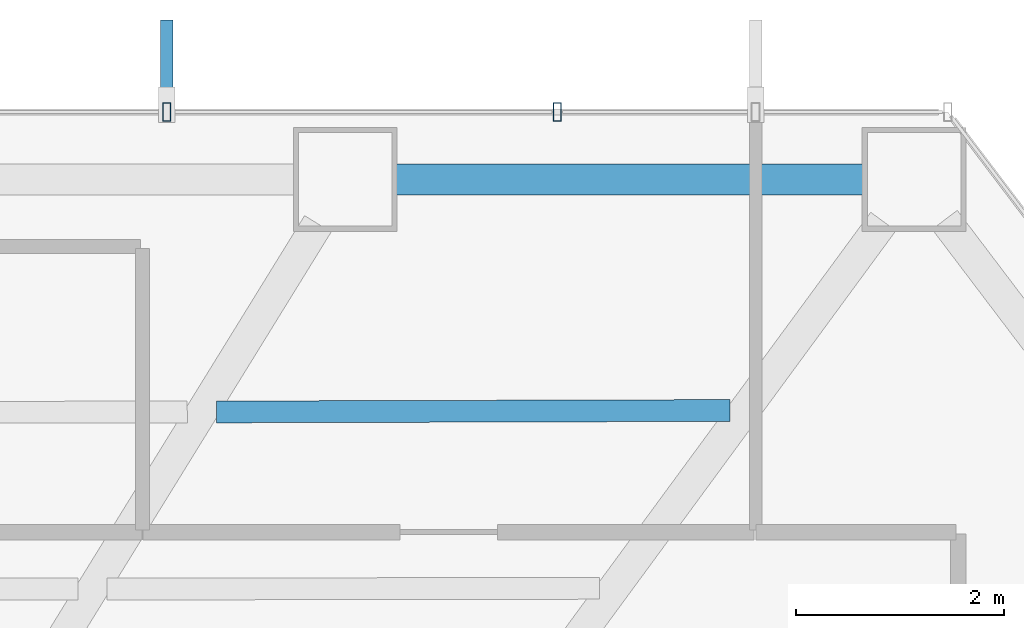
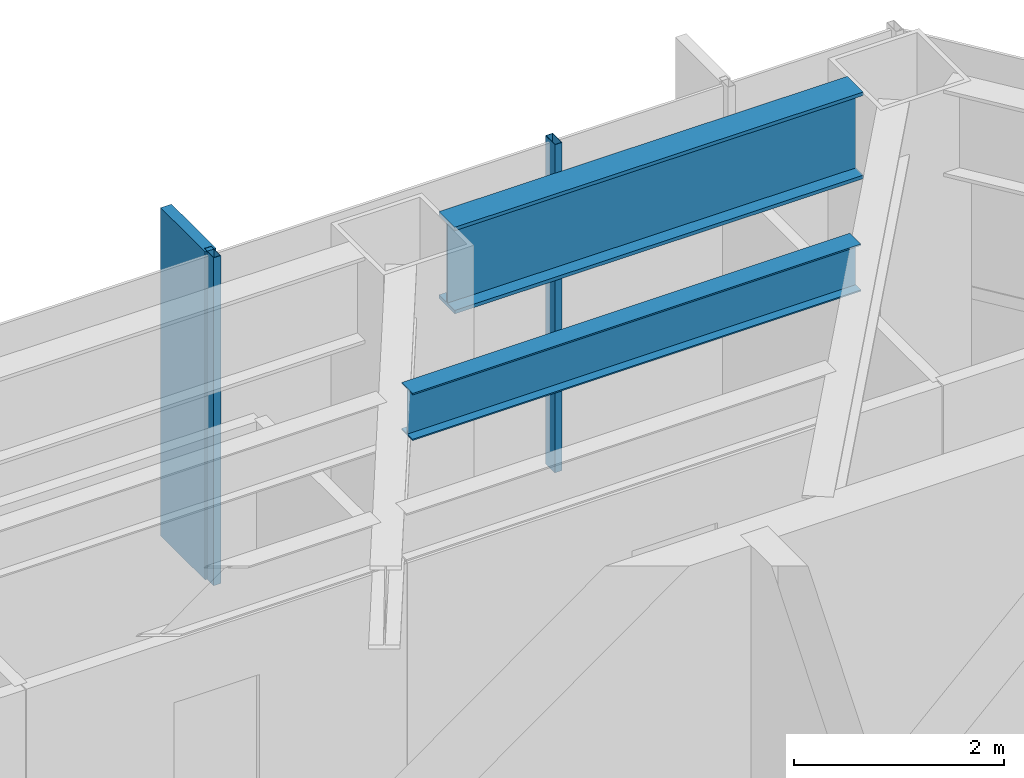
# One storey, part 15 of 25: 3 members, 2 beams, 1 element without a shape of its own.
"""IFC4 building model written with IfcOpenShell, lengths in metres."""

from ifc_helpers import new_model, si_unit, direction, frame, origin, origin_2d, place, context, subcontext, project, spatial, rectangle, hollow_rectangle, i_section, extrude, material, layer, layer_set, material_profile, profile_set, type_object, element, aggregate, save


model = new_model("IFC4")

# Units and contexts
model_context = context("Model", 3, precision=1e-05, world=origin(), true_north=direction((0.0, 1.0)))
body_context = subcontext(model_context, "Body", "Model", "MODEL_VIEW")
ifc_project = project(units=[si_unit("LENGTHUNIT", "METRE"), si_unit("AREAUNIT", "SQUARE_METRE"), si_unit("VOLUMEUNIT", "CUBIC_METRE"), si_unit("PLANEANGLEUNIT", "RADIAN"), si_unit("MASSUNIT", "GRAM", prefix="KILO")], contexts=[model_context])

# Site, building, storey
site_placement = place(None, origin())
site = spatial("IfcSite", under=ifc_project, at=site_placement, CompositionType="ELEMENT")
building_placement = place(site_placement, origin())
building = spatial("IfcBuilding", under=site, at=building_placement, Name="Zarrinselat Tower", CompositionType="ELEMENT")
storey_placement = place(building_placement, frame((0.0, 0.0, 43.860107421875)))
storey = spatial("IfcBuildingStorey", under=building, at=storey_placement, Name="L10", CompositionType="ELEMENT", Elevation=43.860107421875)

# Beams
ifc_material_1 = material(Name="Steel S460M", Category="steel")
ifc_material_profile_1 = material_profile(ifc_material_1, i_section(OverallWidth=0.302001953125, OverallDepth=1.008056640625, WebThickness=0.02099609375, FlangeThickness=0.0400390625, at=origin_2d()), Name="HEM 1000")
ifc_profile_set_1 = profile_set([ifc_material_profile_1], Name="Steel S460M")
beam_type_1 = type_object("IfcBeamType", Name="BM-HEM1000", PredefinedType="BEAM", material=ifc_profile_set_1)
beam_1_placement = place(storey_placement, frame((45.038330078125, 49.394287109375, 3.31591796875), z_axis=(1.0, 0.0, 0.0), x_axis=(0.0, 1.0, 0.0)))
element("IfcBeam", 1, at=beam_1_placement, inside=storey, type_object=beam_type_1, Name="L10 Perimeter Spandrel Girder SP01", PredefinedType="BEAM", context=body_context, shape_type="SweptSolid", body=[
    extrude(i_section(OverallWidth=0.302001953125, OverallDepth=1.008056640625, WebThickness=0.02099609375, FlangeThickness=0.0400390625, at=origin_2d()), origin(), (0.0, 0.0, 1.0), 4.5),
])
ifc_material_2 = material(Name="Steel S355J2", Category="steel")
ifc_material_profile_2 = material_profile(ifc_material_2, i_section(OverallWidth=0.2099609375, OverallDepth=0.550048828125, WebThickness=0.010986328125, FlangeThickness=0.01708984375, at=origin_2d()), Name="IPE 550")
ifc_profile_set_2 = profile_set([ifc_material_profile_2], Name="Steel S355J2")
beam_type_2 = type_object("IfcBeamType", Name="BM-IPE550", PredefinedType="JOIST", material=ifc_profile_set_2)
beam_2_placement = place(storey_placement, frame((43.30908203125, 47.156494140625, 3.544921875), z_axis=(0.999996039215, 0.002814525688, 0.0), x_axis=(-0.002814525688, 0.999996039215, 0.0)))
element("IfcBeam", 2, at=beam_2_placement, inside=storey, type_object=beam_type_2, Name="L10 Composite Floor Joist 7-1", PredefinedType="JOIST", context=body_context, shape_type="SweptSolid", body=[
    extrude(i_section(OverallWidth=0.2099609375, OverallDepth=0.550048828125, WebThickness=0.010986328125, FlangeThickness=0.01708984375, at=origin_2d()), origin(), (0.0, 0.0, 1.0), 4.9443359375),
])

# Curtain wall, members
ifc_material_3 = material(Name="Extruded Aluminium Alloy EN AW-6063 T6", Category="aluminium")
ifc_layer = layer(ifc_material_3, 0.18505859375)
ifc_layer_set = layer_set([ifc_layer], Name="Extruded Aluminium Alloy EN AW-6063 T6")
curtain_wall_type = type_object("IfcCurtainWallType", Name="CWS-OFF", PredefinedType="NOTDEFINED", material=ifc_layer_set)
curtain_wall_placement = place(storey_placement, origin())
curtain_wall = element("IfcCurtainWall", 3, at=curtain_wall_placement, inside=storey, type_object=curtain_wall_type, Name="L10 Unitised Curtain Wall CW-L10-E01", PredefinedType="NOTDEFINED")
ifc_material_4 = material(Name="Extruded Aluminium Alloy EN AW-6063 T6", Category="aluminium")
ifc_material_profile_3 = material_profile(ifc_material_4, hollow_rectangle(XDim=0.080078125, YDim=0.179931640625, WallThickness=0.0048828125, at=origin_2d()), Name="RHS 180x80x5")
ifc_profile_set_3 = profile_set([ifc_material_profile_3], Name="Extruded Aluminium Alloy EN AW-6063 T6")
member_type_1 = type_object("IfcMemberType", Name="MEM-CW-MUL", PredefinedType="MULLION", material=ifc_profile_set_3)
member_1_placement = place(storey_placement, frame((46.591064453125, 50.04443359375, 0.0), z_axis=(0.0, 0.0, 1.0), x_axis=(-1.0, 0.0, 0.0)))
member_1 = element("IfcMember", 4, at=member_1_placement, type_object=member_type_1, Name="CW-L10-E01 Mullion 2", PredefinedType="MULLION", context=body_context, shape_type="SweptSolid", body=[
    extrude(hollow_rectangle(XDim=0.080078125, YDim=0.179931640625, WallThickness=0.0048828125, at=origin_2d()), origin(), (0.0, 0.0, 1.0), 3.81982421875),
])
member_2_placement = place(storey_placement, frame((42.83251953125, 50.04443359375, 0.0), z_axis=(0.0, 0.0, 1.0), x_axis=(-1.0, 0.0, 0.0)))
member_2 = element("IfcMember", 5, at=member_2_placement, type_object=member_type_1, Name="CW-L10-E01 Mullion 3", PredefinedType="MULLION", context=body_context, shape_type="SweptSolid", body=[
    extrude(hollow_rectangle(XDim=0.080078125, YDim=0.179931640625, WallThickness=0.0048828125, at=origin_2d()), origin(), (0.0, 0.0, 1.0), 3.81982421875),
])
ifc_material_5 = material(Name="Honed Cream Travertine Stone", Category="masonry")
ifc_material_profile_4 = material_profile(ifc_material_5, rectangle(XDim=0.1201171875, YDim=0.85009765625, at=origin_2d()), Name="FIN 850x120")
ifc_profile_set_4 = profile_set([ifc_material_profile_4], Name="Honed Cream Travertine Stone")
member_type_2 = type_object("IfcMemberType", Name="MEM-STONE-FIN", PredefinedType="USERDEFINED", material=ifc_profile_set_4)
member_3_placement = place(storey_placement, frame((42.83251953125, 50.50439453125, 0.0), z_axis=(0.0, 0.0, 1.0), x_axis=(1.0, 0.0, 0.0)))
member_3 = element("IfcMember", 6, at=member_3_placement, type_object=member_type_2, Name="L10 Stone Shading Fin CW-L10-E01-03", ObjectType="FIN", PredefinedType="USERDEFINED", context=body_context, shape_type="SweptSolid", body=[
    extrude(rectangle(XDim=0.1201171875, YDim=0.85009765625, at=origin_2d()), origin(), (0.0, 0.0, 1.0), 3.81982421875),
])
aggregate(curtain_wall, [member_1, member_2, member_3])

save(model, "model.ifc")
